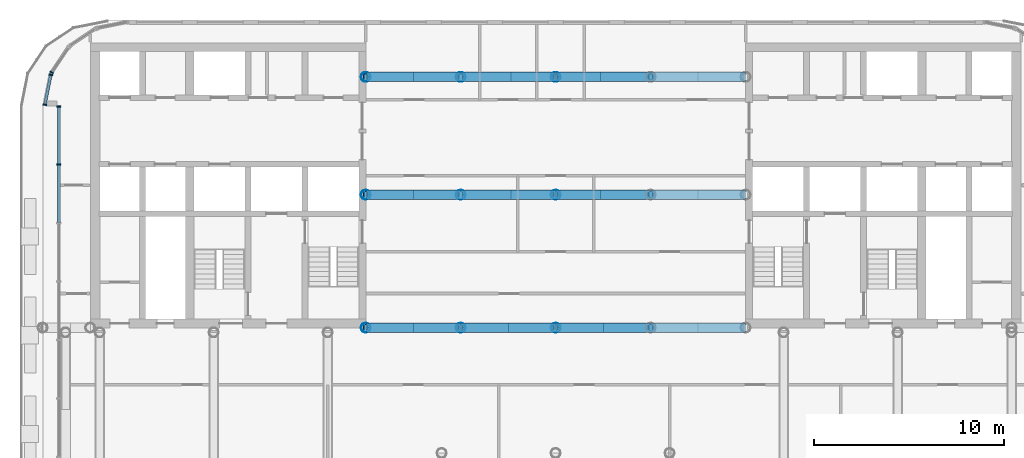
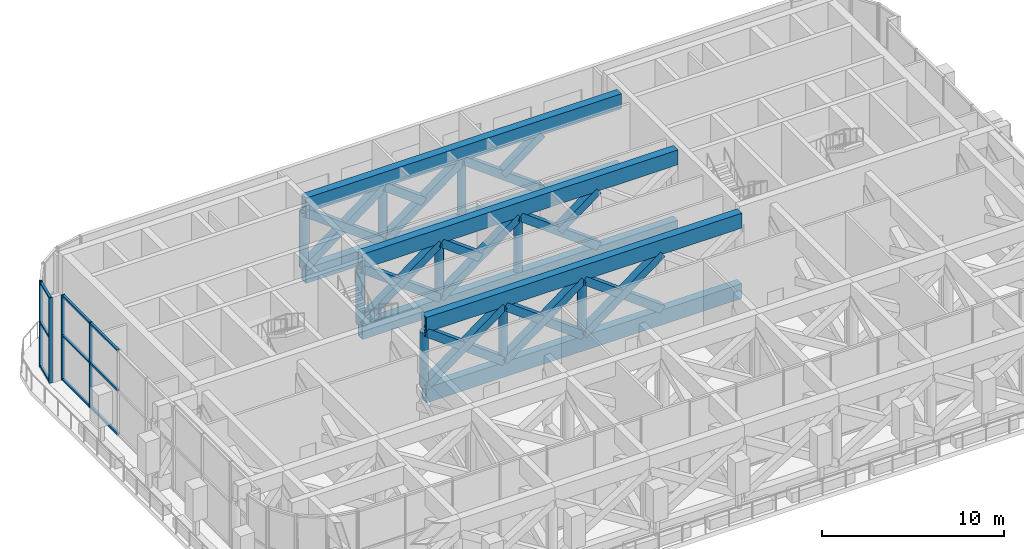
# One storey, part 3 of 20: 41 members, 6 beams, 3 elements without a shape of their own.
"""IFC4 building model written with IfcOpenShell, lengths in metres."""

from ifc_helpers import new_model, si_unit, direction, frame, origin, origin_2d, place, context, subcontext, project, spatial, rectangle, hollow_rectangle, hollow_circle, extrude, material, layer, layer_set, material_profile, profile_set, type_object, element, aggregate, save


model = new_model("IFC4")

# Units and contexts
model_context = context("Model", 3, precision=1e-05, world=origin(), true_north=direction((0.0, 1.0)))
body_context = subcontext(model_context, "Body", "Model", "MODEL_VIEW")
ifc_project = project(units=[si_unit("LENGTHUNIT", "METRE"), si_unit("AREAUNIT", "SQUARE_METRE"), si_unit("VOLUMEUNIT", "CUBIC_METRE"), si_unit("PLANEANGLEUNIT", "RADIAN"), si_unit("MASSUNIT", "GRAM", prefix="KILO")], contexts=[model_context])

# Site, building, storey
site_placement = place(None, origin())
site = spatial("IfcSite", under=ifc_project, at=site_placement, CompositionType="ELEMENT")
building_placement = place(site_placement, origin())
building = spatial("IfcBuilding", under=site, at=building_placement, Name="Torana Hotel and Residences", CompositionType="ELEMENT")
storey_placement = place(building_placement, frame((0.0, 0.0, 177.60009765625)))
storey = spatial("IfcBuildingStorey", under=building, at=storey_placement, Name="L46", CompositionType="ELEMENT", Elevation=177.60009765625)

# Curtain wall, member
ifc_material_1 = material(Name="Dark anodised aluminium", Category="aluminium")
ifc_layer = layer(ifc_material_1, 0.199951171875)
ifc_layer_set = layer_set([ifc_layer], Name="CW2 SKY LOBBY UNITISED CURTAIN WALL")
curtain_wall_type = type_object("IfcCurtainWallType", Name="CW2 SKY LOBBY UNITISED CURTAIN WALL", PredefinedType="NOTDEFINED", material=ifc_layer_set)
curtain_wall_1_placement = place(storey_placement, origin())
curtain_wall_1 = element("IfcCurtainWall", 1, at=curtain_wall_1_placement, inside=storey, type_object=curtain_wall_type, Name="Curtain wall CW2 L46 e0.7-1", PredefinedType="NOTDEFINED")
ifc_material_2 = material(Name="Dark anodised aluminium", Category="aluminium")
ifc_material_profile_1 = material_profile(ifc_material_2, rectangle(XDim=0.199951171875, YDim=0.070068359375, at=origin_2d()), Name="CW2 MULLION 70x200")
ifc_profile_set_1 = profile_set([ifc_material_profile_1], Name="Dark anodised aluminium")
member_type_1 = type_object("IfcMemberType", Name="CW2 MULLION 70x200", PredefinedType="MULLION", material=ifc_profile_set_1)
member_1_placement = place(storey_placement, frame((-26.52734375, -1.56298828125, 0.0), z_axis=(0.0, 0.0, 1.0), x_axis=(0.831473968618, -0.555563713278, 0.0)))
member_1 = element("IfcMember", 2, at=member_1_placement, type_object=member_type_1, Name="CW2 mullion 2", PredefinedType="MULLION", context=body_context, shape_type="SweptSolid", body=[
    extrude(rectangle(XDim=0.199951171875, YDim=0.070068359375, at=origin_2d()), origin(), (0.0, 0.0, 1.0), 5.719970703125),
])
aggregate(curtain_wall_1, [member_1])

# Curtain wall, members
curtain_wall_2_placement = place(storey_placement, origin())
curtain_wall_2 = element("IfcCurtainWall", 3, at=curtain_wall_2_placement, inside=storey, type_object=curtain_wall_type, Name="Curtain wall CW2 L46 e0.8-1", PredefinedType="NOTDEFINED")
member_2_placement = place(storey_placement, frame((-26.575927734375, -1.680419921875, 0.0), z_axis=(0.0, 0.0, 1.0), x_axis=(0.980790545928, -0.195063848566, 0.0)))
member_2 = element("IfcMember", 4, at=member_2_placement, type_object=member_type_1, Name="CW2 mullion 1", PredefinedType="MULLION", context=body_context, shape_type="SweptSolid", body=[
    extrude(rectangle(XDim=0.199951171875, YDim=0.070068359375, at=origin_2d()), origin(), (0.0, 0.0, 1.0), 5.719970703125),
])
member_3_placement = place(storey_placement, frame((-26.890380859375, -3.260986328125, 0.0), z_axis=(0.0, 0.0, 1.0), x_axis=(0.980790545928, -0.195063848566, 0.0)))
member_3 = element("IfcMember", 5, at=member_3_placement, type_object=member_type_1, Name="CW2 mullion 2", PredefinedType="MULLION", context=body_context, shape_type="SweptSolid", body=[
    extrude(rectangle(XDim=0.199951171875, YDim=0.070068359375, at=origin_2d()), origin(), (0.0, 0.0, 1.0), 5.719970703125),
])

curtain_wall_3_placement = place(storey_placement, origin())
curtain_wall_3 = element("IfcCurtainWall", 6, at=curtain_wall_3_placement, inside=storey, type_object=curtain_wall_type, Name="Curtain wall CW2 L46 e0.9-1", PredefinedType="NOTDEFINED")
member_4_placement = place(storey_placement, frame((-26.155029296875, -3.359619140625, 0.0), z_axis=(0.0, 0.0, 1.0), x_axis=(1.0, 0.0, 0.0)))
member_4 = element("IfcMember", 7, at=member_4_placement, type_object=member_type_1, Name="CW2 mullion 1", PredefinedType="MULLION", context=body_context, shape_type="SweptSolid", body=[
    extrude(rectangle(XDim=0.199951171875, YDim=0.070068359375, at=origin_2d()), origin(), (0.0, 0.0, 1.0), 5.719970703125),
])
member_5_placement = place(storey_placement, frame((-26.155029296875, -6.4033203125, 0.0), z_axis=(0.0, 0.0, 1.0), x_axis=(1.0, 0.0, 0.0)))
member_5 = element("IfcMember", 8, at=member_5_placement, type_object=member_type_1, Name="CW2 mullion 2", PredefinedType="MULLION", context=body_context, shape_type="SweptSolid", body=[
    extrude(rectangle(XDim=0.199951171875, YDim=0.070068359375, at=origin_2d()), origin(), (0.0, 0.0, 1.0), 5.719970703125),
])

# Member
ifc_material_3 = material(Name="Dark anodised aluminium", Category="aluminium")
ifc_material_profile_2 = material_profile(ifc_material_3, rectangle(XDim=0.14990234375, YDim=0.1201171875, at=origin_2d()), Name="CW2 TRANSOM 150x120")
ifc_profile_set_2 = profile_set([ifc_material_profile_2], Name="Dark anodised aluminium")
member_type_2 = type_object("IfcMemberType", Name="CW2 TRANSOM 150x120", PredefinedType="USERDEFINED", material=ifc_profile_set_2)
member_6_placement = place(storey_placement, frame((-26.582763671875, -1.71484375, 0.059814453125), z_axis=(-0.19511099609, -0.980781167848, 0.0), x_axis=(0.980781167848, -0.19511099609, 0.0)))
member_6 = element("IfcMember", 9, at=member_6_placement, type_object=member_type_2, Name="CW2 transom 1.1", ObjectType="TRANSOM", PredefinedType="USERDEFINED", context=body_context, shape_type="SweptSolid", body=[
    extrude(rectangle(XDim=0.14990234375, YDim=0.1201171875, at=origin_2d()), origin(), (0.0, 0.0, 1.0), 1.54150390625),
])

member_7_placement = place(storey_placement, frame((-26.582763671875, -1.71484375, 3.0), z_axis=(-0.19511099609, -0.980781167848, 0.0), x_axis=(0.980781167848, -0.19511099609, 0.0)))
member_7 = element("IfcMember", 10, at=member_7_placement, type_object=member_type_2, Name="CW2 transom 1.2", ObjectType="TRANSOM", PredefinedType="USERDEFINED", context=body_context, shape_type="SweptSolid", body=[
    extrude(rectangle(XDim=0.14990234375, YDim=0.1201171875, at=origin_2d()), origin(), (0.0, 0.0, 1.0), 1.54150390625),
])

member_8_placement = place(storey_placement, frame((-26.582763671875, -1.71484375, 5.659912109375), z_axis=(-0.19511099609, -0.980781167848, 0.0), x_axis=(0.980781167848, -0.19511099609, 0.0)))
member_8 = element("IfcMember", 11, at=member_8_placement, type_object=member_type_2, Name="CW2 transom 1.3", ObjectType="TRANSOM", PredefinedType="USERDEFINED", context=body_context, shape_type="SweptSolid", body=[
    extrude(rectangle(XDim=0.14990234375, YDim=0.1201171875, at=origin_2d()), origin(), (0.0, 0.0, 1.0), 1.54150390625),
])

aggregate(curtain_wall_2, [member_2, member_3, member_6, member_7, member_8])

member_9_placement = place(storey_placement, frame((-26.155029296875, -3.39453125, 0.059814453125), z_axis=(0.0, -1.0, 0.0), x_axis=(1.0, 0.0, 0.0)))
member_9 = element("IfcMember", 12, at=member_9_placement, type_object=member_type_2, Name="CW2 transom 1.1", ObjectType="TRANSOM", PredefinedType="USERDEFINED", context=body_context, shape_type="SweptSolid", body=[
    extrude(rectangle(XDim=0.14990234375, YDim=0.1201171875, at=origin_2d()), origin(), (0.0, 0.0, 1.0), 2.9736328125),
])

member_10_placement = place(storey_placement, frame((-26.155029296875, -3.39453125, 3.0), z_axis=(0.0, -1.0, 0.0), x_axis=(1.0, 0.0, 0.0)))
member_10 = element("IfcMember", 13, at=member_10_placement, type_object=member_type_2, Name="CW2 transom 1.2", ObjectType="TRANSOM", PredefinedType="USERDEFINED", context=body_context, shape_type="SweptSolid", body=[
    extrude(rectangle(XDim=0.14990234375, YDim=0.1201171875, at=origin_2d()), origin(), (0.0, 0.0, 1.0), 2.9736328125),
])

member_11_placement = place(storey_placement, frame((-26.155029296875, -3.39453125, 5.659912109375), z_axis=(0.0, -1.0, 0.0), x_axis=(1.0, 0.0, 0.0)))
member_11 = element("IfcMember", 14, at=member_11_placement, type_object=member_type_2, Name="CW2 transom 1.3", ObjectType="TRANSOM", PredefinedType="USERDEFINED", context=body_context, shape_type="SweptSolid", body=[
    extrude(rectangle(XDim=0.14990234375, YDim=0.1201171875, at=origin_2d()), origin(), (0.0, 0.0, 1.0), 2.9736328125),
])

member_12_placement = place(storey_placement, frame((-26.155029296875, -6.438232421875, 0.059814453125), z_axis=(0.0, -1.0, 0.0), x_axis=(1.0, 0.0, 0.0)))
member_12 = element("IfcMember", 15, at=member_12_placement, type_object=member_type_2, Name="CW2 transom 2.1", ObjectType="TRANSOM", PredefinedType="USERDEFINED", context=body_context, shape_type="SweptSolid", body=[
    extrude(rectangle(XDim=0.14990234375, YDim=0.1201171875, at=origin_2d()), origin(), (0.0, 0.0, 1.0), 3.0087890625),
])

member_13_placement = place(storey_placement, frame((-26.155029296875, -6.438232421875, 3.0), z_axis=(0.0, -1.0, 0.0), x_axis=(1.0, 0.0, 0.0)))
member_13 = element("IfcMember", 16, at=member_13_placement, type_object=member_type_2, Name="CW2 transom 2.2", ObjectType="TRANSOM", PredefinedType="USERDEFINED", context=body_context, shape_type="SweptSolid", body=[
    extrude(rectangle(XDim=0.14990234375, YDim=0.1201171875, at=origin_2d()), origin(), (0.0, 0.0, 1.0), 3.0087890625),
])

member_14_placement = place(storey_placement, frame((-26.155029296875, -6.438232421875, 5.659912109375), z_axis=(0.0, -1.0, 0.0), x_axis=(1.0, 0.0, 0.0)))
member_14 = element("IfcMember", 17, at=member_14_placement, type_object=member_type_2, Name="CW2 transom 2.3", ObjectType="TRANSOM", PredefinedType="USERDEFINED", context=body_context, shape_type="SweptSolid", body=[
    extrude(rectangle(XDim=0.14990234375, YDim=0.1201171875, at=origin_2d()), origin(), (0.0, 0.0, 1.0), 3.0087890625),
])

aggregate(curtain_wall_3, [member_4, member_5, member_9, member_10, member_11, member_12, member_13, member_14])

# Beams
ifc_material_4 = material(Name="Steel S355", Category="steel")
ifc_material_profile_3 = material_profile(ifc_material_4, hollow_rectangle(XDim=0.5, YDim=1.0, WallThickness=0.06005859375, at=origin_2d()), Name="BOX 1000x500x60")
ifc_profile_set_3 = profile_set([ifc_material_profile_3], Name="Steel S355")
beam_type = type_object("IfcBeamType", Name="STEEL BAND CHORD BOX 1000x500x60", PredefinedType="BEAM", material=ifc_profile_set_3)
for number, where, z_axis, x_axis, name in (
    (18, (-10.0, -15.0, 0.5), (1.0, 0.0, 0.0), (0.0, 1.0, 0.0), "Transfer chord L46"),
    (19, (-10.0, -15.0, 5.219970703125), (1.0, 0.0, 0.0), (0.0, 1.0, 0.0), "Transfer chord L46"),
    (20, (-10.0, -8.0, 0.5), (1.0, 0.0, 0.0), (0.0, 1.0, 0.0), "Transfer chord L46"),
    (21, (-10.0, -8.0, 5.219970703125), (1.0, 0.0, 0.0), (0.0, 1.0, 0.0), "Transfer chord L46"),
    (22, (-10.0, -1.800048828125, 0.5), (1.0, 0.0, 0.0), (0.0, 1.0, 0.0), "Transfer chord L46"),
    (23, (-10.0, -1.800048828125, 5.219970703125), (1.0, 0.0, 0.0), (0.0, 1.0, 0.0), "Transfer chord L46"),
):
    element("IfcBeam", number, at=place(storey_placement, frame(where, z_axis=z_axis, x_axis=x_axis)), inside=storey, type_object=beam_type, Name=name, PredefinedType="BEAM", context=body_context, shape_type="SweptSolid", body=[
        extrude(hollow_rectangle(XDim=0.5, YDim=1.0, WallThickness=0.06005859375, at=origin_2d()), origin(), (0.0, 0.0, 1.0), 20.0),
    ])

# Members
ifc_material_5 = material(Name="Steel S355", Category="steel")
ifc_material_profile_4 = material_profile(ifc_material_5, hollow_rectangle(XDim=0.5, YDim=0.5, WallThickness=0.080078125, at=origin_2d()), Name="BOX 500x500x80")
ifc_profile_set_4 = profile_set([ifc_material_profile_4], Name="Steel S355")
member_type_3 = type_object("IfcMemberType", Name="STEEL DIAGONAL BOX 500x500x80", PredefinedType="BRACE", material=ifc_profile_set_4)
for number, where, z_axis, x_axis, name in (
    (24, (-10.0, -15.0, 1.0), (0.802306956603, 0.0, 0.596911674695), (0.0, 1.0, 0.0), "Truss diagonal L46"),
    (25, (-5.0, -15.0, 1.0), (-0.802306956603, 0.0, 0.596911674695), (0.0, -1.0, 0.0), "Truss diagonal L46"),
    (26, (-5.0, -15.0, 1.0), (0.802306956603, 0.0, 0.596911674695), (0.0, 1.0, 0.0), "Truss diagonal L46"),
    (27, (0.0, -15.0, 1.0), (-0.802306956603, 0.0, 0.596911674695), (0.0, -1.0, 0.0), "Truss diagonal L46"),
    (28, (0.0, -15.0, 1.0), (0.802306956603, 0.0, 0.596911674695), (0.0, 1.0, 0.0), "Truss diagonal L46"),
    (29, (5.0, -15.0, 1.0), (-0.802306956603, 0.0, 0.596911674695), (0.0, -1.0, 0.0), "Truss diagonal L46"),
    (30, (-10.0, -8.0, 1.0), (0.802306956603, 0.0, 0.596911674695), (0.0, 1.0, 0.0), "Truss diagonal L46"),
    (31, (-5.0, -8.0, 1.0), (-0.802306956603, 0.0, 0.596911674695), (0.0, -1.0, 0.0), "Truss diagonal L46"),
    (32, (-5.0, -8.0, 1.0), (0.802306956603, 0.0, 0.596911674695), (0.0, 1.0, 0.0), "Truss diagonal L46"),
):
    element("IfcMember", number, at=place(storey_placement, frame(where, z_axis=z_axis, x_axis=x_axis)), inside=storey, type_object=member_type_3, Name=name, PredefinedType="BRACE", context=body_context, shape_type="SweptSolid", body=[
        extrude(hollow_rectangle(XDim=0.5, YDim=0.5, WallThickness=0.080078125, at=origin_2d()), origin(), (0.0, 0.0, 1.0), 6.23193359375),
    ])
for number, where, z_axis, x_axis, name in (
    (33, (-2.5, -8.0, 2.85986328125), (-0.802288195418, 0.0, 0.596936890712), (0.0, -1.0, 0.0), "Truss diagonal L46"),
    (34, (2.5, -8.0, 2.85986328125), (0.802288195418, 0.0, 0.596936890712), (0.0, 1.0, 0.0), "Truss diagonal L46"),
):
    element("IfcMember", number, at=place(storey_placement, frame(where, z_axis=z_axis, x_axis=x_axis)), inside=storey, type_object=member_type_3, Name=name, PredefinedType="BRACE", context=body_context, shape_type="SweptSolid", body=[
        extrude(hollow_rectangle(XDim=0.5, YDim=0.5, WallThickness=0.080078125, at=origin_2d()), origin(), (0.0, 0.0, 1.0), 3.115966796875),
    ])
for number, where, z_axis, x_axis, name in (
    (35, (5.0, -8.0, 1.0), (-0.802306956603, 0.0, 0.596911674695), (0.0, -1.0, 0.0), "Truss diagonal L46"),
    (36, (-10.0, -1.800048828125, 1.0), (0.802306956603, 0.0, 0.596911674695), (0.0, 1.0, 0.0), "Truss diagonal L46"),
    (37, (-5.0, -1.800048828125, 1.0), (-0.802306956603, 0.0, 0.596911674695), (0.0, -1.0, 0.0), "Truss diagonal L46"),
    (38, (-5.0, -1.800048828125, 1.0), (0.802306956603, 0.0, 0.596911674695), (0.0, 1.0, 0.0), "Truss diagonal L46"),
):
    element("IfcMember", number, at=place(storey_placement, frame(where, z_axis=z_axis, x_axis=x_axis)), inside=storey, type_object=member_type_3, Name=name, PredefinedType="BRACE", context=body_context, shape_type="SweptSolid", body=[
        extrude(hollow_rectangle(XDim=0.5, YDim=0.5, WallThickness=0.080078125, at=origin_2d()), origin(), (0.0, 0.0, 1.0), 6.23193359375),
    ])
for number, where, z_axis, x_axis, name in (
    (39, (-2.5, -1.800048828125, 2.85986328125), (-0.802288195418, 0.0, 0.596936890712), (0.0, -1.0, 0.0), "Truss diagonal L46"),
    (40, (2.5, -1.800048828125, 2.85986328125), (0.802288195418, 0.0, 0.596936890712), (0.0, 1.0, 0.0), "Truss diagonal L46"),
):
    element("IfcMember", number, at=place(storey_placement, frame(where, z_axis=z_axis, x_axis=x_axis)), inside=storey, type_object=member_type_3, Name=name, PredefinedType="BRACE", context=body_context, shape_type="SweptSolid", body=[
        extrude(hollow_rectangle(XDim=0.5, YDim=0.5, WallThickness=0.080078125, at=origin_2d()), origin(), (0.0, 0.0, 1.0), 3.115966796875),
    ])
member_15_placement = place(storey_placement, frame((5.0, -1.800048828125, 1.0), z_axis=(-0.802306956603, 0.0, 0.596911674695), x_axis=(0.0, -1.0, 0.0)))
element("IfcMember", 41, at=member_15_placement, inside=storey, type_object=member_type_3, Name="Truss diagonal L46", PredefinedType="BRACE", context=body_context, shape_type="SweptSolid", body=[
    extrude(hollow_rectangle(XDim=0.5, YDim=0.5, WallThickness=0.080078125, at=origin_2d()), origin(), (0.0, 0.0, 1.0), 6.23193359375),
])
ifc_material_6 = material(Name="Steel S355", Category="steel")
ifc_material_profile_5 = material_profile(ifc_material_6, hollow_circle(Radius=0.25390625, WallThickness=0.01611328125, at=origin_2d()), Name="508x16 CHS")
ifc_profile_set_5 = profile_set([ifc_material_profile_5], Name="Steel S355")
member_type_4 = type_object("IfcMemberType", Name="STEEL POST 508x16 CHS", PredefinedType="POST", material=ifc_profile_set_5)
for number, where, z_axis, x_axis, name in (
    (42, (-10.0, -15.0, 1.0), (0.0, 0.0, 1.0), (1.0, 0.0, 0.0), "Truss post L46"),
    (43, (-10.0, -8.0, 1.0), (0.0, 0.0, 1.0), (1.0, 0.0, 0.0), "Truss post L46"),
    (44, (-10.0, -1.800048828125, 1.0), (0.0, 0.0, 1.0), (1.0, 0.0, 0.0), "Truss post L46"),
    (45, (-5.0, -15.0, 1.0), (0.0, 0.0, 1.0), (1.0, 0.0, 0.0), "Truss post L46"),
    (46, (0.0, -15.0, 1.0), (0.0, 0.0, 1.0), (1.0, 0.0, 0.0), "Truss post L46"),
    (47, (-5.0, -8.0, 1.0), (0.0, 0.0, 1.0), (1.0, 0.0, 0.0), "Truss post L46"),
    (48, (0.0, -8.0, 1.0), (0.0, 0.0, 1.0), (1.0, 0.0, 0.0), "Truss post L46"),
    (49, (-5.0, -1.800048828125, 1.0), (0.0, 0.0, 1.0), (1.0, 0.0, 0.0), "Truss post L46"),
    (50, (0.0, -1.800048828125, 1.0), (0.0, 0.0, 1.0), (1.0, 0.0, 0.0), "Truss post L46"),
):
    element("IfcMember", number, at=place(storey_placement, frame(where, z_axis=z_axis, x_axis=x_axis)), inside=storey, type_object=member_type_4, Name=name, PredefinedType="POST", context=body_context, shape_type="SweptSolid", body=[
        extrude(hollow_circle(Radius=0.25390625, WallThickness=0.01611328125, at=origin_2d()), origin(), (0.0, 0.0, 1.0), 3.719970703125),
    ])

save(model, "model.ifc")
